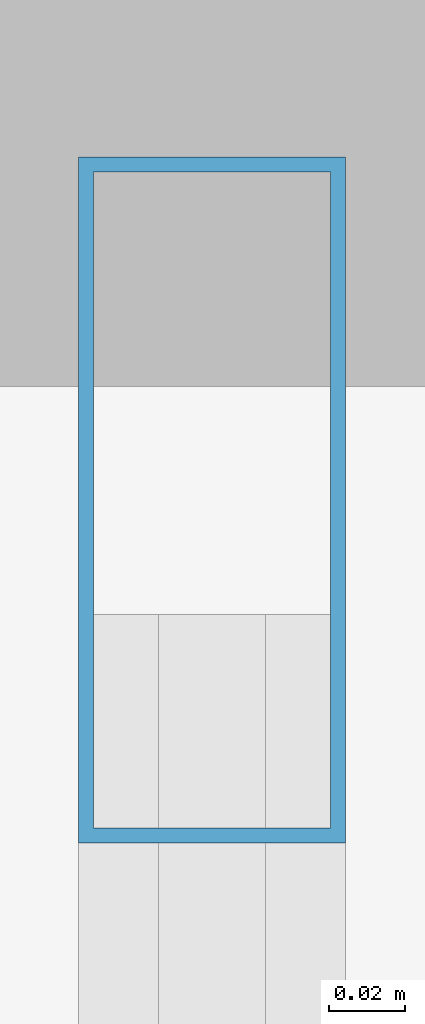
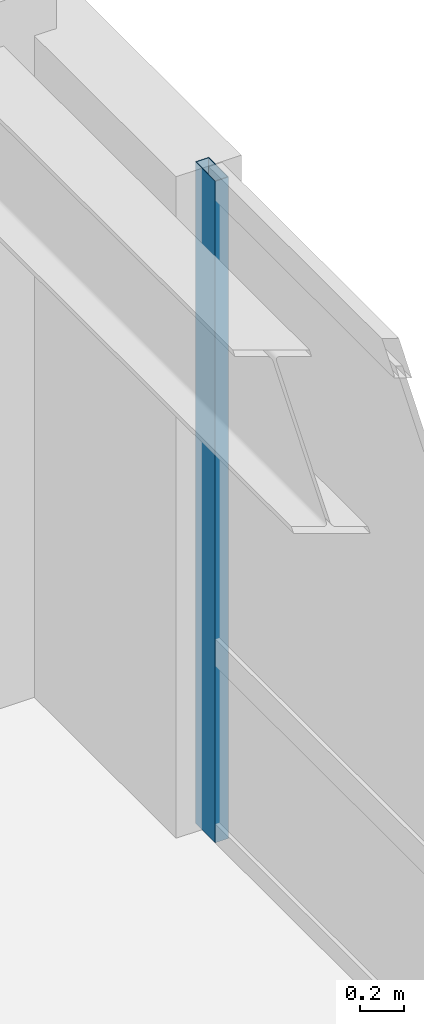
# One storey, part 15 of 29: 1 member, 1 element without a shape of its own.
"""IFC4 building model written with IfcOpenShell, lengths in metres."""

from ifc_helpers import new_model, si_unit, direction, frame, origin, origin_2d, place, context, subcontext, project, spatial, hollow_rectangle, extrude, material, layer, layer_set, material_profile, profile_set, type_object, element, aggregate, save


model = new_model("IFC4")

# Units and contexts
model_context = context("Model", 3, precision=1e-05, world=origin(), true_north=direction((0.0, 1.0)))
body_context = subcontext(model_context, "Body", "Model", "MODEL_VIEW")
ifc_project = project(units=[si_unit("LENGTHUNIT", "METRE"), si_unit("AREAUNIT", "SQUARE_METRE"), si_unit("VOLUMEUNIT", "CUBIC_METRE"), si_unit("PLANEANGLEUNIT", "RADIAN"), si_unit("MASSUNIT", "GRAM", prefix="KILO")], contexts=[model_context])

# Site, building, storey
site_placement = place(None, origin())
site = spatial("IfcSite", under=ifc_project, at=site_placement, CompositionType="ELEMENT")
building_placement = place(site_placement, origin())
building = spatial("IfcBuilding", under=site, at=building_placement, Name="Voryun Gate Residences", CompositionType="ELEMENT")
storey_placement = place(building_placement, frame((0.0, 0.0, 211.89990234375)))
storey = spatial("IfcBuildingStorey", under=building, at=storey_placement, Name="L52", CompositionType="ELEMENT", Elevation=211.89990234375)

# Curtain wall, member
ifc_material_1 = material(Name="Anodised aluminium", Category="aluminium")
ifc_layer = layer(ifc_material_1, 0.18994140625, Name="CW_SYS_RES_B_DARK_GLASS")
ifc_layer_set = layer_set([ifc_layer], Name="Anodised aluminium")
curtain_wall_type = type_object("IfcCurtainWallType", Name="CW_SYS_RES_B_DARK_GLASS", PredefinedType="NOTDEFINED", material=ifc_layer_set)
curtain_wall_placement = place(storey_placement, origin())
curtain_wall = element("IfcCurtainWall", 1, at=curtain_wall_placement, inside=storey, type_object=curtain_wall_type, Name="Curtain wall CWT-L52-16", PredefinedType="NOTDEFINED")
ifc_material_2 = material(Name="Anodised aluminium", Category="aluminium")
ifc_material_profile = material_profile(ifc_material_2, hollow_rectangle(XDim=0.070068359375, YDim=0.179931640625, WallThickness=0.00390625, at=origin_2d()), Name="ALU-MULL-180x70x4")
ifc_profile_set = profile_set([ifc_material_profile], Name="Anodised aluminium")
member_type = type_object("IfcMemberType", Name="CW_MULL_RES", PredefinedType="MULLION", material=ifc_profile_set)
member_placement = place(storey_placement, frame((30.22998046875, 5.684814453125, 0.0), z_axis=(0.0, 0.0, 1.0), x_axis=(1.0, 0.0, 0.0)))
member = element("IfcMember", 2, at=member_placement, type_object=member_type, Name="CW4 mullion 1", PredefinedType="MULLION", context=body_context, shape_type="SweptSolid", body=[
    extrude(hollow_rectangle(XDim=0.070068359375, YDim=0.179931640625, WallThickness=0.00390625, at=origin_2d()), origin(), (0.0, 0.0, 1.0), 3.650146484375),
])
aggregate(curtain_wall, [member])

save(model, "model.ifc")
